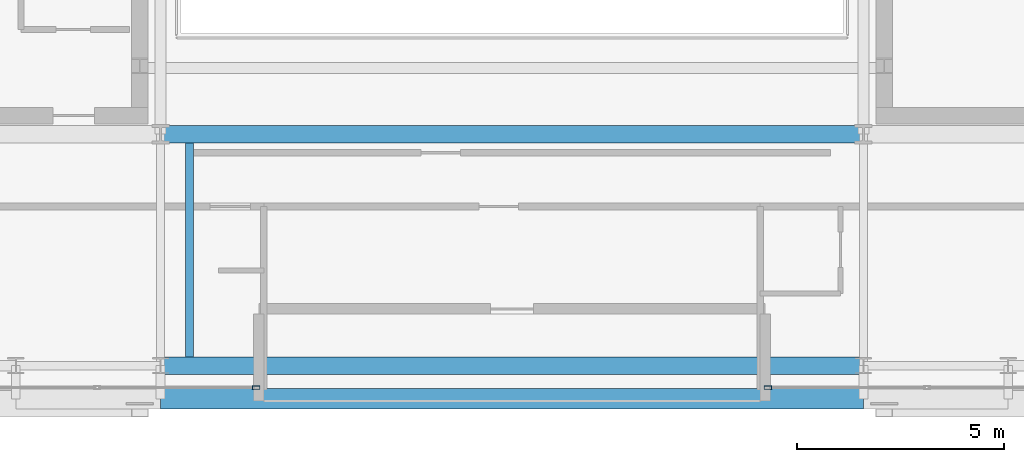
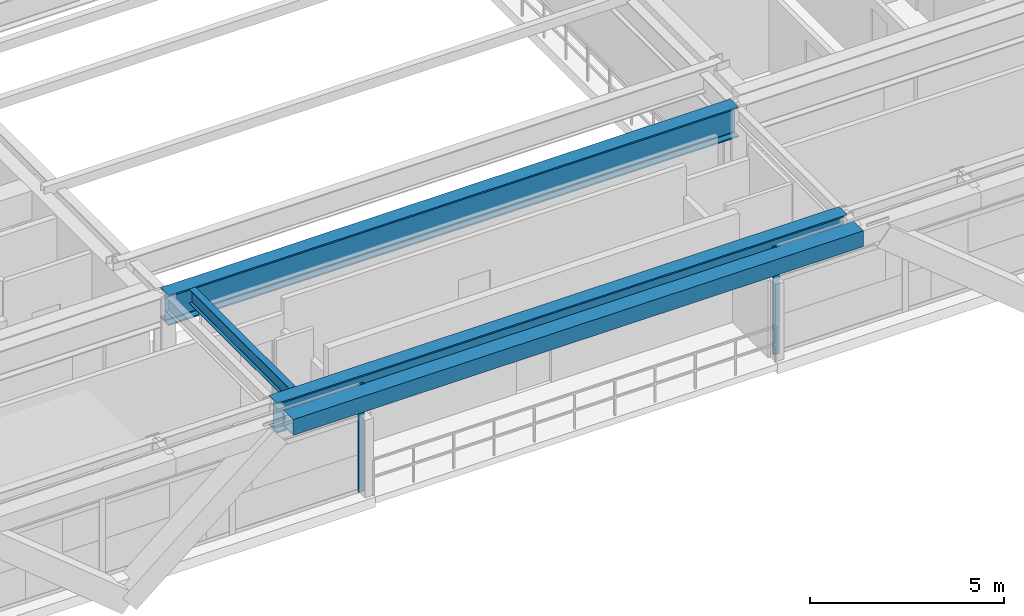
# One storey, part 6 of 29: 4 beams, 2 members, 2 elements without a shape of their own.
"""IFC4 building model written with IfcOpenShell, lengths in metres."""

import ifcopenshell
import ifcopenshell.guid

model = None  # the IFC model being written
_history = None  # IfcOwnerHistory: only IFC2X3 demands one
_inside = {}  # id of a spatial element -> (the spatial element, [elements in it])
_under = {}  # id of a project, library or spatial element -> (it, [spatial elements below it])
_declared = {}  # id of a project -> (the project, [libraries it declares])
_typed = {}  # id of a type object -> (the type object, [elements of that type])
_made_of = {}  # id of a material, layer set ... -> (it, [elements and type objects made of it])


def new_model(schema):
    """Start an empty IFC model of exactly this schema.

    Asked for "IFC4X3", IfcOpenShell would pick the latest addendum, in which some entities
    have other attributes; the version numbers below select the first issue.
    IFC2X3 requires an IfcOwnerHistory on every rooted entity: one is made here for all.
    """
    global model, _history
    if schema == "IFC4X3":
        model = ifcopenshell.file(schema_version=(4, 3, 0, 0))
    else:
        model = ifcopenshell.file(schema=schema)
    _inside.clear()
    _under.clear()
    _declared.clear()
    _typed.clear()
    _made_of.clear()
    _history = None
    if model.schema == "IFC2X3":
        org = make("IfcOrganization", Name="unknown")
        user = make(
            "IfcPersonAndOrganization",
            ThePerson=make("IfcPerson", FamilyName="unknown"),
            TheOrganization=org,
        )
        app = make(
            "IfcApplication",
            ApplicationDeveloper=org,
            Version="unknown",
            ApplicationFullName="unknown",
            ApplicationIdentifier="unknown",
        )
        _history = make(
            "IfcOwnerHistory",
            OwningUser=user,
            OwningApplication=app,
            ChangeAction="ADDED",
            CreationDate=0,
        )
    return model


def make(cls, **values):
    """One entity of the class cls with the attributes given. An attribute that is None is left unset."""
    return model.create_entity(
        cls, **{name: value for name, value in values.items() if value is not None}
    )


def rooted(cls, **values):
    """An entity with a GlobalId (a new one), such as an element, a storey or a relation."""
    return make(cls, GlobalId=ifcopenshell.guid.new(), OwnerHistory=_history, **values)


def si_unit(unit_type, name, prefix=None):
    """IfcSIUnit, for example si_unit("LENGTHUNIT", "METRE", prefix="MILLI")."""
    return make("IfcSIUnit", UnitType=unit_type, Prefix=prefix, Name=name)


def assignment(units):
    """IfcUnitAssignment: the units of a project."""
    return None if units is None else make("IfcUnitAssignment", Units=units)


def point(xyz):
    """IfcCartesianPoint."""
    return None if xyz is None else make("IfcCartesianPoint", Coordinates=xyz)


def direction(xyz):
    """IfcDirection."""
    return None if xyz is None else make("IfcDirection", DirectionRatios=xyz)


def frame(location, z_axis=None, x_axis=None):
    """IfcAxis2Placement3D, a coordinate frame: its origin and axes. An axis left out is left unset."""
    return make(
        "IfcAxis2Placement3D",
        Location=point(location),
        Axis=direction(z_axis),
        RefDirection=direction(x_axis),
    )


def frame_2d(location, x_axis=None):
    """IfcAxis2Placement2D, a coordinate frame in the plane: its origin and x axis."""
    return make(
        "IfcAxis2Placement2D", Location=point(location), RefDirection=direction(x_axis)
    )


def origin():
    """The frame at (0, 0, 0) with its axes left unset."""
    return frame((0.0, 0.0, 0.0))


def origin_2d():
    """The frame at (0, 0) in the plane with its x axis left unset."""
    return frame_2d((0.0, 0.0))


def place(relative_to, where):
    """IfcLocalPlacement: puts the frame where relative to a parent placement (None: the world)."""
    return make(
        "IfcLocalPlacement", PlacementRelTo=relative_to, RelativePlacement=where
    )


def context(
    kind, dimensions, precision=None, world=None, true_north=None, identifier=None
):
    """IfcGeometricRepresentationContext, for example the 3D "Model" context."""
    return make(
        "IfcGeometricRepresentationContext",
        ContextIdentifier=identifier,
        ContextType=kind,
        CoordinateSpaceDimension=dimensions,
        Precision=precision,
        WorldCoordinateSystem=world,
        TrueNorth=true_north,
    )


def subcontext(parent, identifier, kind, view, scale=None):
    """IfcGeometricRepresentationSubContext, for example "Body" below "Model"."""
    return make(
        "IfcGeometricRepresentationSubContext",
        ContextIdentifier=identifier,
        ContextType=kind,
        ParentContext=parent,
        TargetScale=scale,
        TargetView=view,
    )


def project(units=None, contexts=None):
    """IfcProject with its units and contexts."""
    return rooted(
        "IfcProject",
        Name="project",
        RepresentationContexts=contexts,
        UnitsInContext=assignment(units),
    )


def spatial(cls, under=None, at=None, **own):
    """A site, building, storey or space (cls), placed at a placement, below another one or the project."""
    s = rooted(cls, ObjectPlacement=at, **own)
    if under is not None:
        _under.setdefault(under.id(), (under, []))[1].append(s)
    return s


def profile(cls, at=None, kind="AREA", **sizes):
    """A parametric profile (cls). Its sizes go by their IFC names, for example OverallWidth=200.0."""
    return make(cls, ProfileType=kind, Position=at, **sizes)


def hollow_rectangle(**sizes):
    """IfcRectangleHollowProfileDef."""
    return profile("IfcRectangleHollowProfileDef", **sizes)


def i_section(**sizes):
    """IfcIShapeProfileDef."""
    return profile("IfcIShapeProfileDef", **sizes)


def extrude(swept, where, along, depth):
    """IfcExtrudedAreaSolid: the profile swept, set in the frame where, extruded along a direction by depth."""
    return make(
        "IfcExtrudedAreaSolid",
        SweptArea=swept,
        Position=where,
        ExtrudedDirection=direction(along),
        Depth=depth,
    )


def shape(context_of_items, identifier, shape_type, items):
    """IfcShapeRepresentation: the items that make up one representation, for example the "Body"."""
    return make(
        "IfcShapeRepresentation",
        ContextOfItems=context_of_items,
        RepresentationIdentifier=identifier,
        RepresentationType=shape_type,
        Items=items,
    )


def source(mapping_origin, context_of_items, identifier, shape_type, items):
    """IfcRepresentationMap: a shape defined once, which mapped items show again and again."""
    return make(
        "IfcRepresentationMap",
        MappingOrigin=mapping_origin,
        MappedRepresentation=shape(context_of_items, identifier, shape_type, items),
    )


def transform(
    local_origin,
    x_axis=None,
    y_axis=None,
    z_axis=None,
    scale=None,
    scale2=None,
    scale3=None,
    uniform=True,
):
    """IfcCartesianTransformationOperator3D, or its non-uniform kind. x_axis, y_axis, z_axis: its Axis1, 2, 3."""
    if uniform:
        return make(
            "IfcCartesianTransformationOperator3D",
            Axis1=direction(x_axis),
            Axis2=direction(y_axis),
            LocalOrigin=point(local_origin),
            Scale=scale,
            Axis3=direction(z_axis),
        )
    return make(
        "IfcCartesianTransformationOperator3DnonUniform",
        Axis1=direction(x_axis),
        Axis2=direction(y_axis),
        LocalOrigin=point(local_origin),
        Scale=scale,
        Axis3=direction(z_axis),
        Scale2=scale2,
        Scale3=scale3,
    )


def mapped(mapping_source, mapping_target):
    """IfcMappedItem: shows the shape of a source again, moved by a transform."""
    return make(
        "IfcMappedItem", MappingSource=mapping_source, MappingTarget=mapping_target
    )


def material(Name=None, Category=None):
    """IfcMaterial."""
    return make("IfcMaterial", Name=Name, Category=Category)


def layer(
    of_material, thickness, ventilated=None, Name=None, Category=None, Priority=None
):
    """IfcMaterialLayer: one layer of a wall or slab, of a material (None: an air gap)."""
    return make(
        "IfcMaterialLayer",
        Material=of_material,
        LayerThickness=thickness,
        IsVentilated=ventilated,
        Name=Name,
        Category=Category,
        Priority=Priority,
    )


def layer_set(layers, Name=None):
    """IfcMaterialLayerSet."""
    return make("IfcMaterialLayerSet", MaterialLayers=layers, LayerSetName=Name)


def material_profile(
    of_material, cross_section, Name=None, Category=None, Priority=None
):
    """IfcMaterialProfile: a cross section and its material."""
    return make(
        "IfcMaterialProfile",
        Name=Name,
        Material=of_material,
        Profile=cross_section,
        Priority=Priority,
        Category=Category,
    )


def profile_set(profiles, Name=None, composite=None):
    """IfcMaterialProfileSet."""
    return make(
        "IfcMaterialProfileSet",
        Name=Name,
        MaterialProfiles=profiles,
        CompositeProfile=composite,
    )


def made_of(thing, what):
    """Note that an element or type object is made of a material, layer set ...; save() writes the relation."""
    if what is not None:
        _made_of.setdefault(what.id(), (what, []))[1].append(thing)
    return thing


def type_object(cls, material=None, **own):
    """A type object (cls), such as IfcWallType, which elements share."""
    return made_of(rooted(cls, **own), material)


def element(
    cls,
    number,
    at=None,
    inside=None,
    cuts=None,
    type_object=None,
    material=None,
    context=None,
    identifier="Body",
    shape_type=None,
    held_by="IfcProductDefinitionShape",
    body=None,
    shapes=None,
    **own,
):
    """One element of the class cls, such as IfcWall. Its Tag is "e" and its number.

    at: its placement. inside: the storey or other place that contains it. cuts: it is an
    opening in that element (IfcRelVoidsElement). A single representation is given by context,
    identifier, shape_type and body (its items); several are given by shapes. held_by: the class
    of the entity that holds the representations. save() writes the other relations.
    """
    e = rooted(cls, Tag="e%d" % number, ObjectPlacement=at, **own)
    if body is not None:
        shapes = [shape(context, identifier, shape_type, body)]
    if shapes is not None:
        e.Representation = make(held_by, Representations=shapes)
    if inside is not None:
        _inside.setdefault(inside.id(), (inside, []))[1].append(e)
    if cuts is not None:
        rooted(
            "IfcRelVoidsElement", RelatingBuildingElement=cuts, RelatedOpeningElement=e
        )
    if type_object is not None:
        _typed.setdefault(type_object.id(), (type_object, []))[1].append(e)
    return made_of(e, material)


def aggregate(whole, parts):
    """IfcRelAggregates: a whole, such as a stair, and the parts it consists of."""
    return rooted("IfcRelAggregates", RelatingObject=whole, RelatedObjects=parts)


def save(model, path):
    """Write the relations noted so far, then the file.

    IfcRelAggregates (storeys below a building ...), IfcRelContainedInSpatialStructure (elements
    in a storey), IfcRelDefinesByType, IfcRelAssociatesMaterial and IfcRelDeclares: one each for
    every whole, place, type object, material and project.
    """
    for whole, parts in _under.values():
        aggregate(whole, parts)
    for where, things in _inside.values():
        rooted(
            "IfcRelContainedInSpatialStructure",
            RelatedElements=things,
            RelatingStructure=where,
        )
    for kind, things in _typed.values():
        rooted("IfcRelDefinesByType", RelatedObjects=things, RelatingType=kind)
    for what, things in _made_of.values():
        rooted("IfcRelAssociatesMaterial", RelatedObjects=things, RelatingMaterial=what)
    for by, libraries in _declared.values():
        rooted("IfcRelDeclares", RelatingContext=by, RelatedDefinitions=libraries)
    model.write(path)


model = new_model("IFC4")

# Units and contexts
model_context = context("Model", 3, precision=1e-05, world=origin(), true_north=direction((0.0, 1.0)))
body_context = subcontext(model_context, "Body", "Model", "MODEL_VIEW")
ifc_project = project(units=[si_unit("LENGTHUNIT", "METRE"), si_unit("AREAUNIT", "SQUARE_METRE"), si_unit("VOLUMEUNIT", "CUBIC_METRE"), si_unit("PLANEANGLEUNIT", "RADIAN"), si_unit("MASSUNIT", "GRAM", prefix="KILO")], contexts=[model_context])

# Site, building, storey
site_placement = place(None, origin())
site = spatial("IfcSite", under=ifc_project, at=site_placement, CompositionType="ELEMENT")
building_placement = place(site_placement, origin())
building = spatial("IfcBuilding", under=site, at=building_placement, Name="Ocotamira Hotel", CompositionType="ELEMENT")
storey_placement = place(building_placement, frame((0.0, 0.0, 247.199951171875)))
storey = spatial("IfcBuildingStorey", under=building, at=storey_placement, Name="L62", CompositionType="ELEMENT", Elevation=247.199951171875)

# Beams
ifc_material_1 = material(Name="Steel ASTM A913 Grade 65", Category="steel")
ifc_material_profile_1 = material_profile(ifc_material_1, i_section(OverallWidth=0.423095703125, OverallDepth=0.947998046875, WebThickness=0.02392578125, FlangeThickness=0.042724609375, FilletRadius=0.02392578125, at=origin_2d()), Name="W36X302")
ifc_profile_set_1 = profile_set([ifc_material_profile_1], Name="Steel ASTM A913 Grade 65")
beam_type_1 = type_object("IfcBeamType", Name="BM-TRUSS-W36X302", PredefinedType="BEAM", material=ifc_profile_set_1)
shared_shape_1 = source(origin(), body_context, "Body", "SweptSolid", [
    extrude(i_section(OverallWidth=0.423095703125, OverallDepth=0.947998046875, WebThickness=0.02392578125, FlangeThickness=0.042724609375, FilletRadius=0.02392578125, at=origin_2d()), origin(), (0.0, 0.0, 1.0), 17.0),
])
for number, where, z_axis, x_axis, name in (
    (1, (23.5, 8.949951171875, 2.906005859375), (1.0, 0.0, 0.0), (0.0, 1.0, 0.0), "L62 Girder Y8.95 X23.5-40.5"),
    (2, (23.5, 14.550048828125, 2.906005859375), (1.0, 0.0, 0.0), (0.0, 1.0, 0.0), "L62 Girder Y14.55 X23.5-40.5"),
):
    element("IfcBeam", number, at=place(storey_placement, frame(where, z_axis=z_axis, x_axis=x_axis)), inside=storey, type_object=beam_type_1, Name=name, PredefinedType="BEAM", context=body_context, shape_type="MappedRepresentation", body=[
        mapped(shared_shape_1, transform((0.0, 0.0, 0.0), scale=1.0)),
    ])
ifc_material_2 = material(Name="Steel ASTM A500 Grade C", Category="steel")
ifc_material_profile_2 = material_profile(ifc_material_2, hollow_rectangle(XDim=0.5, YDim=0.5, WallThickness=0.02001953125, at=origin_2d()), Name="HSS500X500X20")
ifc_profile_set_2 = profile_set([ifc_material_profile_2], Name="Steel ASTM A500 Grade C")
beam_type_2 = type_object("IfcBeamType", Name="BM-SPAN-HSS500", PredefinedType="USERDEFINED", material=ifc_profile_set_2)
shared_shape_2 = source(origin(), body_context, "Body", "SweptSolid", [
    extrude(hollow_rectangle(XDim=0.5, YDim=0.5, WallThickness=0.02001953125, at=origin_2d()), origin(), (0.0, 0.0, 1.0), 17.0),
])
beam_1_placement = place(storey_placement, frame((23.5, 8.14990234375, 3.130126953125), z_axis=(1.0, 0.0, 0.0), x_axis=(0.0, 1.0, 0.0)))
element("IfcBeam", 3, at=beam_1_placement, inside=storey, type_object=beam_type_2, Name="L62 Edge Spandrel S X23.5-40.5", ObjectType="SPANDREL", PredefinedType="USERDEFINED", context=body_context, shape_type="MappedRepresentation", body=[
    mapped(shared_shape_2, transform((0.0, 0.0, 0.0), scale=1.0)),
])
ifc_material_3 = material(Name="Steel ASTM A992 Grade 50", Category="steel")
ifc_material_profile_3 = material_profile(ifc_material_3, i_section(OverallWidth=0.18994140625, OverallDepth=0.45703125, WebThickness=0.009033203125, FlangeThickness=0.014404296875, FilletRadius=0.010009765625, at=origin_2d()), Name="W18X50")
ifc_profile_set_3 = profile_set([ifc_material_profile_3], Name="Steel ASTM A992 Grade 50")
beam_type_3 = type_object("IfcBeamType", Name="BM-SEC-W18X50", PredefinedType="JOIST", material=ifc_profile_set_3)
shared_shape_3 = source(origin(), body_context, "Body", "SweptSolid", [
    extrude(i_section(OverallWidth=0.18994140625, OverallDepth=0.45703125, WebThickness=0.009033203125, FlangeThickness=0.014404296875, FilletRadius=0.010009765625, at=origin_2d()), origin(), (0.0, 0.0, 1.0), 5.1767578125),
])
beam_2_placement = place(storey_placement, frame((24.199951171875, 9.16162109375, 3.151611328125), z_axis=(0.0, 1.0, 0.0), x_axis=(-1.0, 0.0, 0.0)))
element("IfcBeam", 4, at=beam_2_placement, inside=storey, type_object=beam_type_3, Name="L62 End-Strip Roof Edge Trimmer W", PredefinedType="JOIST", context=body_context, shape_type="MappedRepresentation", body=[
    mapped(shared_shape_3, transform((0.0, 0.0, 0.0), scale=1.0)),
])

# Curtain wall, member
ifc_material_4 = material(Name="Anodised pale-metal aluminium and solar glass", Category="aluminium")
ifc_layer = layer(ifc_material_4, 0.239990234375)
ifc_layer_set = layer_set([ifc_layer], Name="Anodised pale-metal aluminium and solar glass")
curtain_wall_type = type_object("IfcCurtainWallType", Name="CW-SYS5-SKY", PredefinedType="NOTDEFINED", material=ifc_layer_set)
curtain_wall_1_placement = place(storey_placement, origin())
curtain_wall_1 = element("IfcCurtainWall", 5, at=curtain_wall_1_placement, inside=storey, type_object=curtain_wall_type, Name="L62 Curtain Wall CW-5 CW-L62-S1", PredefinedType="NOTDEFINED")
ifc_material_5 = material(Name="Anodised pale-metal aluminium 6063-T6", Category="aluminium")
ifc_material_profile_4 = material_profile(ifc_material_5, hollow_rectangle(XDim=0.080078125, YDim=0.179931640625, WallThickness=0.006103515625, at=origin_2d()), Name="HSS180X80X6")
ifc_profile_set_4 = profile_set([ifc_material_profile_4], Name="Anodised pale-metal aluminium 6063-T6")
member_type = type_object("IfcMemberType", Name="CWM-180X75", PredefinedType="MULLION", material=ifc_profile_set_4)
shared_shape_4 = source(origin(), body_context, "Body", "SweptSolid", [
    extrude(hollow_rectangle(XDim=0.080078125, YDim=0.179931640625, WallThickness=0.006103515625, at=origin_2d()), origin(), (0.0, 0.0, 1.0), 3.380126953125),
])
member_1_placement = place(storey_placement, frame((25.81005859375, 8.419921875, 0.0), z_axis=(0.0, 0.0, 1.0), x_axis=(0.0, 1.0, 0.0)))
member_1 = element("IfcMember", 6, at=member_1_placement, type_object=member_type, Name="CW-5 mullion 4", PredefinedType="MULLION", context=body_context, shape_type="MappedRepresentation", body=[
    mapped(shared_shape_4, transform((0.0, 0.0, 0.0), scale=1.0)),
])
aggregate(curtain_wall_1, [member_1])

curtain_wall_2_placement = place(storey_placement, origin())
curtain_wall_2 = element("IfcCurtainWall", 7, at=curtain_wall_2_placement, inside=storey, type_object=curtain_wall_type, Name="L62 Curtain Wall CW-5 CW-L62-S2", PredefinedType="NOTDEFINED")
member_2_placement = place(storey_placement, frame((38.18994140625, 8.419921875, 0.0), z_axis=(0.0, 0.0, 1.0), x_axis=(0.0, 1.0, 0.0)))
member_2 = element("IfcMember", 8, at=member_2_placement, type_object=member_type, Name="CW-5 mullion 1", PredefinedType="MULLION", context=body_context, shape_type="MappedRepresentation", body=[
    mapped(shared_shape_4, transform((0.0, 0.0, 0.0), scale=1.0)),
])
aggregate(curtain_wall_2, [member_2])

save(model, "model.ifc")
